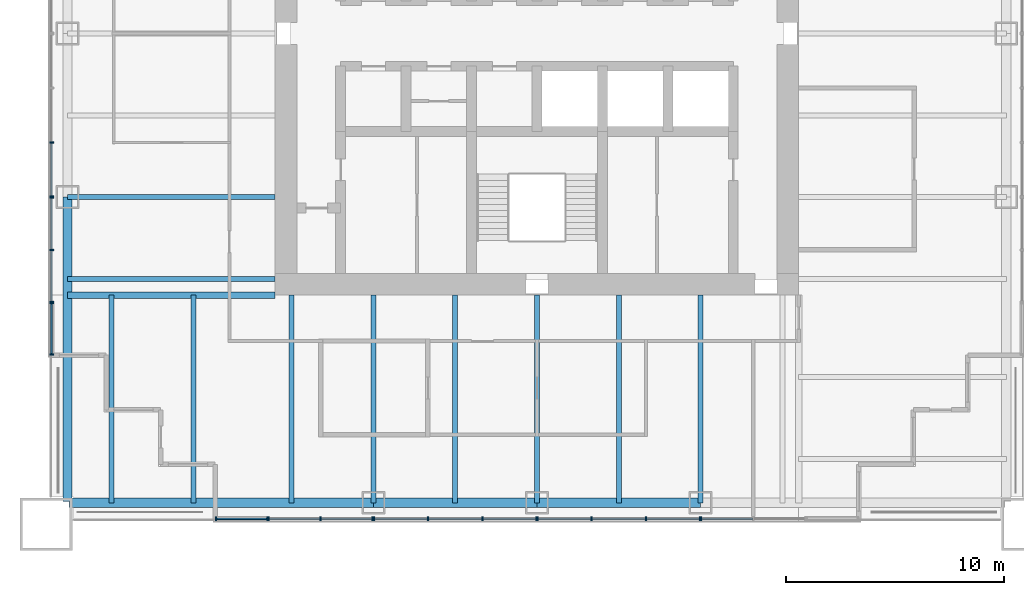
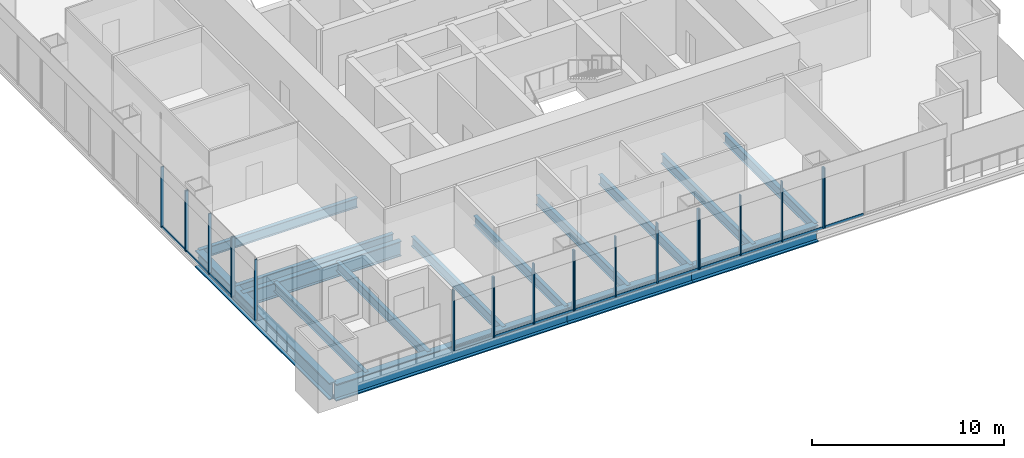
# One storey, part 2 of 13: 35 members, 15 beams, 8 elements without a shape of their own.
"""IFC4 building model written with IfcOpenShell, lengths in metres."""

from ifc_helpers import new_model, si_unit, direction, frame, origin, origin_2d, place, context, subcontext, project, spatial, rectangle, i_section, extrude, material, material_profile, profile_set, type_object, element, aggregate, save


model = new_model("IFC4")

# Units and contexts
model_context = context("Model", 3, precision=1e-05, world=origin(), true_north=direction((0.0, 1.0)))
body_context = subcontext(model_context, "Body", "Model", "MODEL_VIEW")
ifc_project = project(units=[si_unit("LENGTHUNIT", "METRE"), si_unit("AREAUNIT", "SQUARE_METRE"), si_unit("VOLUMEUNIT", "CUBIC_METRE"), si_unit("PLANEANGLEUNIT", "RADIAN"), si_unit("MASSUNIT", "GRAM", prefix="KILO")], contexts=[model_context])

# Site, building, storey
site_placement = place(None, origin())
site = spatial("IfcSite", under=ifc_project, at=site_placement, CompositionType="ELEMENT")
building_placement = place(site_placement, origin())
building = spatial("IfcBuilding", under=site, at=building_placement, Name="Tarangal Relay Tower", CompositionType="ELEMENT")
storey_placement = place(building_placement, frame((0.0, 0.0, 245.89990234375)))
storey = spatial("IfcBuildingStorey", under=building, at=storey_placement, Name="L53", CompositionType="ELEMENT", Elevation=245.89990234375)

# Beams
ifc_material_1 = material(Name="Steel ASTM A992", Category="steel")
ifc_material_profile_1 = material_profile(ifc_material_1, i_section(OverallWidth=0.227783203125, OverallDepth=0.60205078125, WebThickness=0.010498046875, FlangeThickness=0.014892578125, at=origin_2d()), Name="W24X68")
ifc_profile_set_1 = profile_set([ifc_material_profile_1], Name="Steel ASTM A992")
beam_type_1 = type_object("IfcBeamType", Name="Corner beam W24X68", PredefinedType="JOIST", material=ifc_profile_set_1)
for number, where, z_axis, x_axis, name in (
    (1, (-15.75, -12.0, -0.450927734375), (0.0, -1.0, 0.0), (1.0, 0.0, 0.0), "Corner beam CB11 S L53"),
    (2, (-19.5, -12.0, -0.450927734375), (0.0, -1.0, 0.0), (1.0, 0.0, 0.0), "Corner beam CB11 S L53"),
):
    element("IfcBeam", number, at=place(storey_placement, frame(where, z_axis=z_axis, x_axis=x_axis)), inside=storey, type_object=beam_type_1, Name=name, PredefinedType="JOIST", context=body_context, shape_type="SweptSolid", body=[
        extrude(i_section(OverallWidth=0.227783203125, OverallDepth=0.60205078125, WebThickness=0.010498046875, FlangeThickness=0.014892578125, at=origin_2d()), origin(), (0.0, 0.0, 1.0), 9.514892578125),
    ])
ifc_material_profile_2 = material_profile(ifc_material_1, i_section(OverallWidth=0.307373046875, OverallDepth=0.9423828125, WebThickness=0.022216796875, FlangeThickness=0.039794921875, at=origin_2d()), Name="W36X232")
ifc_profile_set_2 = profile_set([ifc_material_profile_2], Name="Steel ASTM A992")
beam_type_2 = type_object("IfcBeamType", Name="Corner girder W36X232", PredefinedType="BEAM", material=ifc_profile_set_2)
beam_placement = place(storey_placement, frame((-12.0, -12.0, -0.62109375), z_axis=(-1.0, 0.0, 0.0), x_axis=(0.0, -1.0, 0.0)))
element("IfcBeam", 3, at=beam_placement, inside=storey, type_object=beam_type_2, Name="Corner girder CG4 S L53", PredefinedType="BEAM", context=body_context, shape_type="SweptSolid", body=[
    extrude(i_section(OverallWidth=0.307373046875, OverallDepth=0.9423828125, WebThickness=0.022216796875, FlangeThickness=0.039794921875, at=origin_2d()), origin(), (0.0, 0.0, 1.0), 9.514892578125),
])
ifc_material_profile_3 = material_profile(ifc_material_1, i_section(OverallWidth=0.41650390625, OverallDepth=1.0693359375, WebThickness=0.0390625, FlangeThickness=0.070068359375, at=origin_2d()), Name="W40X503")
ifc_profile_set_3 = profile_set([ifc_material_profile_3], Name="Steel ASTM A992")
beam_type_3 = type_object("IfcBeamType", Name="Edge girder W40X503", PredefinedType="SPANDREL", material=ifc_profile_set_3)
for number, where, z_axis, x_axis, name in (
    (4, (7.5, -21.514892578125, -0.6845703125), (-1.0, 0.0, 0.0), (0.0, -1.0, 0.0), "Edge girder EG8 S L53"),
    (5, (0.0, -21.514892578125, -0.6845703125), (-1.0, 0.0, 0.0), (0.0, -1.0, 0.0), "Edge girder EG8 S L53"),
):
    element("IfcBeam", number, at=place(storey_placement, frame(where, z_axis=z_axis, x_axis=x_axis)), inside=storey, type_object=beam_type_3, Name=name, PredefinedType="SPANDREL", context=body_context, shape_type="SweptSolid", body=[
        extrude(i_section(OverallWidth=0.41650390625, OverallDepth=1.0693359375, WebThickness=0.0390625, FlangeThickness=0.070068359375, at=origin_2d()), origin(), (0.0, 0.0, 1.0), 7.5),
    ])
for number, where, z_axis, x_axis, name in (
    (6, (-7.5, -21.514892578125, -0.6845703125), (-1.0, 0.0, 0.0), (0.0, -1.0, 0.0), "Edge girder EG8 S L53"),
    (7, (-21.514892578125, -21.449951171875, -0.6845703125), (0.0, 1.0, 0.0), (-1.0, 0.0, 0.0), "Edge girder EG8 W L53"),
):
    element("IfcBeam", number, at=place(storey_placement, frame(where, z_axis=z_axis, x_axis=x_axis)), inside=storey, type_object=beam_type_3, Name=name, PredefinedType="SPANDREL", context=body_context, shape_type="SweptSolid", body=[
        extrude(i_section(OverallWidth=0.41650390625, OverallDepth=1.0693359375, WebThickness=0.0390625, FlangeThickness=0.070068359375, at=origin_2d()), origin(), (0.0, 0.0, 1.0), 13.949951171875),
    ])
ifc_material_profile_4 = material_profile(ifc_material_1, i_section(OverallWidth=0.22900390625, OverallDepth=0.612060546875, WebThickness=0.011962890625, FlangeThickness=0.01953125, at=origin_2d()), Name="W24X84")
ifc_profile_set_4 = profile_set([ifc_material_profile_4], Name="Steel ASTM A992")
beam_type_4 = type_object("IfcBeamType", Name="Floor beam W24X84", PredefinedType="BEAM", material=ifc_profile_set_4)
for number, where, z_axis, x_axis, name in (
    (8, (7.5, -12.0, -0.455810546875), (0.0, -1.0, 0.0), (1.0, 0.0, 0.0), "Floor beam RB12 S L53"),
    (9, (3.75, -12.0, -0.455810546875), (0.0, -1.0, 0.0), (1.0, 0.0, 0.0), "Floor beam RB12 S L53"),
    (10, (0.0, -12.0, -0.455810546875), (0.0, -1.0, 0.0), (1.0, 0.0, 0.0), "Floor beam RB12 S L53"),
    (11, (-3.75, -12.0, -0.455810546875), (0.0, -1.0, 0.0), (1.0, 0.0, 0.0), "Floor beam RB12 S L53"),
    (12, (-7.5, -12.0, -0.455810546875), (0.0, -1.0, 0.0), (1.0, 0.0, 0.0), "Floor beam RB12 S L53"),
    (13, (-11.25, -12.0, -0.455810546875), (0.0, -1.0, 0.0), (1.0, 0.0, 0.0), "Floor beam RB12 S L53"),
    (14, (-12.0, -11.25, -0.455810546875), (-1.0, 0.0, 0.0), (0.0, -1.0, 0.0), "Floor beam RB12 W L53"),
    (15, (-12.0, -7.5, -0.455810546875), (-1.0, 0.0, 0.0), (0.0, -1.0, 0.0), "Floor beam RB12 W L53"),
):
    element("IfcBeam", number, at=place(storey_placement, frame(where, z_axis=z_axis, x_axis=x_axis)), inside=storey, type_object=beam_type_4, Name=name, PredefinedType="BEAM", context=body_context, shape_type="SweptSolid", body=[
        extrude(i_section(OverallWidth=0.22900390625, OverallDepth=0.612060546875, WebThickness=0.011962890625, FlangeThickness=0.01953125, at=origin_2d()), origin(), (0.0, 0.0, 1.0), 9.514892578125),
    ])

# Curtain wall, member
ifc_material_2 = material(Name="Unitised curtain wall, dark glass and black aluminium", Category="aluminium")
curtain_wall_type_1 = type_object("IfcCurtainWallType", Name="Curtain wall CW-A", PredefinedType="USERDEFINED", material=ifc_material_2)
curtain_wall_1_placement = place(storey_placement, origin())
curtain_wall_1 = element("IfcCurtainWall", 16, at=curtain_wall_1_placement, inside=storey, type_object=curtain_wall_type_1, Name="Curtain wall CW-A S facade L53", ObjectType="UNITISED CURTAIN WALL", PredefinedType="USERDEFINED")
ifc_material_3 = material(Name="Black anodised aluminium mullion", Category="aluminium")
ifc_material_profile_5 = material_profile(ifc_material_3, rectangle(XDim=0.175048828125, YDim=0.06494140625, at=origin_2d()), Name="CW-AM 65X175")
ifc_profile_set_5 = profile_set([ifc_material_profile_5], Name="Black anodised aluminium mullion")
member_type_1 = type_object("IfcMemberType", Name="Mullion CW-A 65 x 175", PredefinedType="MULLION", material=ifc_profile_set_5)
member_1_placement = place(storey_placement, frame((7.532470703125, -22.25, 0.0), z_axis=(0.0, 0.0, 1.0), x_axis=(0.0, -1.0, 0.0)))
member_1 = element("IfcMember", 17, at=member_1_placement, type_object=member_type_1, Name="CW-A mullion 3", PredefinedType="MULLION", context=body_context, shape_type="SweptSolid", body=[
    extrude(rectangle(XDim=0.175048828125, YDim=0.06494140625, at=origin_2d()), origin(), (0.0, 0.0, 1.0), 3.85009765625),
])

# Curtain wall, members
curtain_wall_2_placement = place(storey_placement, origin())
curtain_wall_2 = element("IfcCurtainWall", 18, at=curtain_wall_2_placement, inside=storey, type_object=curtain_wall_type_1, Name="Curtain wall CW-A S facade L53", ObjectType="UNITISED CURTAIN WALL", PredefinedType="USERDEFINED")
member_2_placement = place(storey_placement, frame((7.467529296875, -22.25, 0.0), z_axis=(0.0, 0.0, 1.0), x_axis=(0.0, -1.0, 0.0)))
member_2 = element("IfcMember", 19, at=member_2_placement, type_object=member_type_1, Name="CW-A mullion 1", PredefinedType="MULLION", context=body_context, shape_type="SweptSolid", body=[
    extrude(rectangle(XDim=0.175048828125, YDim=0.06494140625, at=origin_2d()), origin(), (0.0, 0.0, 1.0), 3.85009765625),
])
member_3_placement = place(storey_placement, frame((5.0, -22.25, 0.0), z_axis=(0.0, 0.0, 1.0), x_axis=(0.0, -1.0, 0.0)))
member_3 = element("IfcMember", 20, at=member_3_placement, type_object=member_type_1, Name="CW-A mullion 2", PredefinedType="MULLION", context=body_context, shape_type="SweptSolid", body=[
    extrude(rectangle(XDim=0.175048828125, YDim=0.06494140625, at=origin_2d()), origin(), (0.0, 0.0, 1.0), 3.85009765625),
])
member_4_placement = place(storey_placement, frame((2.5, -22.25, 0.0), z_axis=(0.0, 0.0, 1.0), x_axis=(0.0, -1.0, 0.0)))
member_4 = element("IfcMember", 21, at=member_4_placement, type_object=member_type_1, Name="CW-A mullion 3", PredefinedType="MULLION", context=body_context, shape_type="SweptSolid", body=[
    extrude(rectangle(XDim=0.175048828125, YDim=0.06494140625, at=origin_2d()), origin(), (0.0, 0.0, 1.0), 3.85009765625),
])
member_5_placement = place(storey_placement, frame((0.032470703125, -22.25, 0.0), z_axis=(0.0, 0.0, 1.0), x_axis=(0.0, -1.0, 0.0)))
member_5 = element("IfcMember", 22, at=member_5_placement, type_object=member_type_1, Name="CW-A mullion 4", PredefinedType="MULLION", context=body_context, shape_type="SweptSolid", body=[
    extrude(rectangle(XDim=0.175048828125, YDim=0.06494140625, at=origin_2d()), origin(), (0.0, 0.0, 1.0), 3.85009765625),
])

curtain_wall_3_placement = place(storey_placement, origin())
curtain_wall_3 = element("IfcCurtainWall", 23, at=curtain_wall_3_placement, inside=storey, type_object=curtain_wall_type_1, Name="Curtain wall CW-A S facade L53", ObjectType="UNITISED CURTAIN WALL", PredefinedType="USERDEFINED")
member_6_placement = place(storey_placement, frame((-0.032470703125, -22.25, 0.0), z_axis=(0.0, 0.0, 1.0), x_axis=(0.0, -1.0, 0.0)))
member_6 = element("IfcMember", 24, at=member_6_placement, type_object=member_type_1, Name="CW-A mullion 1", PredefinedType="MULLION", context=body_context, shape_type="SweptSolid", body=[
    extrude(rectangle(XDim=0.175048828125, YDim=0.06494140625, at=origin_2d()), origin(), (0.0, 0.0, 1.0), 3.85009765625),
])
member_7_placement = place(storey_placement, frame((-2.5, -22.25, 0.0), z_axis=(0.0, 0.0, 1.0), x_axis=(0.0, -1.0, 0.0)))
member_7 = element("IfcMember", 25, at=member_7_placement, type_object=member_type_1, Name="CW-A mullion 2", PredefinedType="MULLION", context=body_context, shape_type="SweptSolid", body=[
    extrude(rectangle(XDim=0.175048828125, YDim=0.06494140625, at=origin_2d()), origin(), (0.0, 0.0, 1.0), 3.85009765625),
])
member_8_placement = place(storey_placement, frame((-5.0, -22.25, 0.0), z_axis=(0.0, 0.0, 1.0), x_axis=(0.0, -1.0, 0.0)))
member_8 = element("IfcMember", 26, at=member_8_placement, type_object=member_type_1, Name="CW-A mullion 3", PredefinedType="MULLION", context=body_context, shape_type="SweptSolid", body=[
    extrude(rectangle(XDim=0.175048828125, YDim=0.06494140625, at=origin_2d()), origin(), (0.0, 0.0, 1.0), 3.85009765625),
])
member_9_placement = place(storey_placement, frame((-7.467529296875, -22.25, 0.0), z_axis=(0.0, 0.0, 1.0), x_axis=(0.0, -1.0, 0.0)))
member_9 = element("IfcMember", 27, at=member_9_placement, type_object=member_type_1, Name="CW-A mullion 4", PredefinedType="MULLION", context=body_context, shape_type="SweptSolid", body=[
    extrude(rectangle(XDim=0.175048828125, YDim=0.06494140625, at=origin_2d()), origin(), (0.0, 0.0, 1.0), 3.85009765625),
])

curtain_wall_4_placement = place(storey_placement, origin())
curtain_wall_4 = element("IfcCurtainWall", 28, at=curtain_wall_4_placement, inside=storey, type_object=curtain_wall_type_1, Name="Curtain wall CW-A S facade L53", ObjectType="UNITISED CURTAIN WALL", PredefinedType="USERDEFINED")
member_10_placement = place(storey_placement, frame((-7.532470703125, -22.25, 0.0), z_axis=(0.0, 0.0, 1.0), x_axis=(0.0, -1.0, 0.0)))
member_10 = element("IfcMember", 29, at=member_10_placement, type_object=member_type_1, Name="CW-A mullion 1", PredefinedType="MULLION", context=body_context, shape_type="SweptSolid", body=[
    extrude(rectangle(XDim=0.175048828125, YDim=0.06494140625, at=origin_2d()), origin(), (0.0, 0.0, 1.0), 3.85009765625),
])
member_11_placement = place(storey_placement, frame((-9.916748046875, -22.25, 0.0), z_axis=(0.0, 0.0, 1.0), x_axis=(0.0, -1.0, 0.0)))
member_11 = element("IfcMember", 30, at=member_11_placement, type_object=member_type_1, Name="CW-A mullion 2", PredefinedType="MULLION", context=body_context, shape_type="SweptSolid", body=[
    extrude(rectangle(XDim=0.175048828125, YDim=0.06494140625, at=origin_2d()), origin(), (0.0, 0.0, 1.0), 3.85009765625),
])
member_12_placement = place(storey_placement, frame((-12.30078125, -22.25, 0.0), z_axis=(0.0, 0.0, 1.0), x_axis=(0.0, -1.0, 0.0)))
member_12 = element("IfcMember", 31, at=member_12_placement, type_object=member_type_1, Name="CW-A mullion 3", PredefinedType="MULLION", context=body_context, shape_type="SweptSolid", body=[
    extrude(rectangle(XDim=0.175048828125, YDim=0.06494140625, at=origin_2d()), origin(), (0.0, 0.0, 1.0), 3.85009765625),
])

curtain_wall_5_placement = place(storey_placement, origin())
curtain_wall_5 = element("IfcCurtainWall", 32, at=curtain_wall_5_placement, inside=storey, type_object=curtain_wall_type_1, Name="Curtain wall CW-A W facade L53", ObjectType="UNITISED CURTAIN WALL", PredefinedType="USERDEFINED")
member_13_placement = place(storey_placement, frame((-22.25, -12.30078125, 0.0), z_axis=(0.0, 0.0, 1.0), x_axis=(-1.0, 0.0, 0.0)))
member_13 = element("IfcMember", 33, at=member_13_placement, type_object=member_type_1, Name="CW-A mullion 1", PredefinedType="MULLION", context=body_context, shape_type="SweptSolid", body=[
    extrude(rectangle(XDim=0.175048828125, YDim=0.06494140625, at=origin_2d()), origin(), (0.0, 0.0, 1.0), 3.85009765625),
])
member_14_placement = place(storey_placement, frame((-22.25, -9.916748046875, 0.0), z_axis=(0.0, 0.0, 1.0), x_axis=(-1.0, 0.0, 0.0)))
member_14 = element("IfcMember", 34, at=member_14_placement, type_object=member_type_1, Name="CW-A mullion 2", PredefinedType="MULLION", context=body_context, shape_type="SweptSolid", body=[
    extrude(rectangle(XDim=0.175048828125, YDim=0.06494140625, at=origin_2d()), origin(), (0.0, 0.0, 1.0), 3.85009765625),
])
member_15_placement = place(storey_placement, frame((-22.25, -7.532470703125, 0.0), z_axis=(0.0, 0.0, 1.0), x_axis=(-1.0, 0.0, 0.0)))
member_15 = element("IfcMember", 35, at=member_15_placement, type_object=member_type_1, Name="CW-A mullion 3", PredefinedType="MULLION", context=body_context, shape_type="SweptSolid", body=[
    extrude(rectangle(XDim=0.175048828125, YDim=0.06494140625, at=origin_2d()), origin(), (0.0, 0.0, 1.0), 3.85009765625),
])

curtain_wall_6_placement = place(storey_placement, origin())
curtain_wall_6 = element("IfcCurtainWall", 36, at=curtain_wall_6_placement, inside=storey, type_object=curtain_wall_type_1, Name="Curtain wall CW-A W facade L53", ObjectType="UNITISED CURTAIN WALL", PredefinedType="USERDEFINED")
member_16_placement = place(storey_placement, frame((-22.25, -7.467529296875, 0.0), z_axis=(0.0, 0.0, 1.0), x_axis=(-1.0, 0.0, 0.0)))
member_16 = element("IfcMember", 37, at=member_16_placement, type_object=member_type_1, Name="CW-A mullion 1", PredefinedType="MULLION", context=body_context, shape_type="SweptSolid", body=[
    extrude(rectangle(XDim=0.175048828125, YDim=0.06494140625, at=origin_2d()), origin(), (0.0, 0.0, 1.0), 3.85009765625),
])
member_17_placement = place(storey_placement, frame((-22.25, -5.0, 0.0), z_axis=(0.0, 0.0, 1.0), x_axis=(-1.0, 0.0, 0.0)))
member_17 = element("IfcMember", 38, at=member_17_placement, type_object=member_type_1, Name="CW-A mullion 2", PredefinedType="MULLION", context=body_context, shape_type="SweptSolid", body=[
    extrude(rectangle(XDim=0.175048828125, YDim=0.06494140625, at=origin_2d()), origin(), (0.0, 0.0, 1.0), 3.85009765625),
])

ifc_material_4 = material(Name="Unitised curtain wall frame, black aluminium, with metal clad infill walls", Category="aluminium")
curtain_wall_type_2 = type_object("IfcCurtainWallType", Name="Curtain wall CW-AO", PredefinedType="USERDEFINED", material=ifc_material_4)
curtain_wall_7_placement = place(storey_placement, origin())
curtain_wall_7 = element("IfcCurtainWall", 39, at=curtain_wall_7_placement, inside=storey, type_object=curtain_wall_type_2, Name="Curtain wall CW-AO S facade L53", ObjectType="UNITISED CURTAIN WALL", PredefinedType="USERDEFINED")
ifc_material_profile_6 = material_profile(ifc_material_3, rectangle(XDim=0.175048828125, YDim=0.06494140625, at=origin_2d()), Name="CW-AOM 65X175")
ifc_profile_set_6 = profile_set([ifc_material_profile_6], Name="Black anodised aluminium mullion")
member_type_2 = type_object("IfcMemberType", Name="Mullion CW-AO 65 x 175", PredefinedType="MULLION", material=ifc_profile_set_6)
member_18_placement = place(storey_placement, frame((-12.36572265625, -22.25, 0.0), z_axis=(0.0, 0.0, 1.0), x_axis=(0.0, -1.0, 0.0)))
member_18 = element("IfcMember", 40, at=member_18_placement, type_object=member_type_2, Name="CW-AO mullion 1", PredefinedType="MULLION", context=body_context, shape_type="SweptSolid", body=[
    extrude(rectangle(XDim=0.175048828125, YDim=0.06494140625, at=origin_2d()), origin(), (0.0, 0.0, 1.0), 3.85009765625),
])
member_19_placement = place(storey_placement, frame((-14.717529296875, -22.25, 0.0), z_axis=(0.0, 0.0, 1.0), x_axis=(0.0, -1.0, 0.0)))
member_19 = element("IfcMember", 41, at=member_19_placement, type_object=member_type_2, Name="CW-AO mullion 2", PredefinedType="MULLION", context=body_context, shape_type="SweptSolid", body=[
    extrude(rectangle(XDim=0.175048828125, YDim=0.06494140625, at=origin_2d()), origin(), (0.0, 0.0, 1.0), 3.85009765625),
])

curtain_wall_8_placement = place(storey_placement, origin())
curtain_wall_8 = element("IfcCurtainWall", 42, at=curtain_wall_8_placement, inside=storey, type_object=curtain_wall_type_2, Name="Curtain wall CW-AO W facade L53", ObjectType="UNITISED CURTAIN WALL", PredefinedType="USERDEFINED")
member_20_placement = place(storey_placement, frame((-22.25, -14.717529296875, 0.0), z_axis=(0.0, 0.0, 1.0), x_axis=(-1.0, 0.0, 0.0)))
member_20 = element("IfcMember", 43, at=member_20_placement, type_object=member_type_2, Name="CW-AO mullion 1", PredefinedType="MULLION", context=body_context, shape_type="SweptSolid", body=[
    extrude(rectangle(XDim=0.175048828125, YDim=0.06494140625, at=origin_2d()), origin(), (0.0, 0.0, 1.0), 3.85009765625),
])
member_21_placement = place(storey_placement, frame((-22.25, -12.36572265625, 0.0), z_axis=(0.0, 0.0, 1.0), x_axis=(-1.0, 0.0, 0.0)))
member_21 = element("IfcMember", 44, at=member_21_placement, type_object=member_type_2, Name="CW-AO mullion 2", PredefinedType="MULLION", context=body_context, shape_type="SweptSolid", body=[
    extrude(rectangle(XDim=0.175048828125, YDim=0.06494140625, at=origin_2d()), origin(), (0.0, 0.0, 1.0), 3.85009765625),
])

# Member
ifc_material_5 = material(Name="Black anodised aluminium transom", Category="aluminium")
ifc_material_profile_7 = material_profile(ifc_material_5, rectangle(XDim=0.06494140625, YDim=0.14990234375, at=origin_2d()), Name="CW-AT 65X150")
ifc_profile_set_7 = profile_set([ifc_material_profile_7], Name="Black anodised aluminium transom")
member_type_3 = type_object("IfcMemberType", Name="Transom CW-A 65 x 150", PredefinedType="USERDEFINED", material=ifc_profile_set_7)
member_22_placement = place(storey_placement, frame((9.884033203125, -22.25, 0.03271484375), z_axis=(-1.0, 0.0, 0.0), x_axis=(0.0, -1.0, 0.0)))
member_22 = element("IfcMember", 45, at=member_22_placement, type_object=member_type_3, Name="CW-A transom 2.1", ObjectType="TRANSOM", PredefinedType="USERDEFINED", context=body_context, shape_type="SweptSolid", body=[
    extrude(rectangle(XDim=0.06494140625, YDim=0.14990234375, at=origin_2d()), origin(), (0.0, 0.0, 1.0), 2.319091796875),
])

aggregate(curtain_wall_1, [member_1, member_22])

member_23_placement = place(storey_placement, frame((7.43505859375, -22.25, 0.03271484375), z_axis=(-1.0, 0.0, 0.0), x_axis=(0.0, -1.0, 0.0)))
member_23 = element("IfcMember", 46, at=member_23_placement, type_object=member_type_3, Name="CW-A transom 1.1", ObjectType="TRANSOM", PredefinedType="USERDEFINED", context=body_context, shape_type="SweptSolid", body=[
    extrude(rectangle(XDim=0.06494140625, YDim=0.14990234375, at=origin_2d()), origin(), (0.0, 0.0, 1.0), 2.402587890625),
])

member_24_placement = place(storey_placement, frame((4.967529296875, -22.25, 0.03271484375), z_axis=(-1.0, 0.0, 0.0), x_axis=(0.0, -1.0, 0.0)))
member_24 = element("IfcMember", 47, at=member_24_placement, type_object=member_type_3, Name="CW-A transom 2.1", ObjectType="TRANSOM", PredefinedType="USERDEFINED", context=body_context, shape_type="SweptSolid", body=[
    extrude(rectangle(XDim=0.06494140625, YDim=0.14990234375, at=origin_2d()), origin(), (0.0, 0.0, 1.0), 2.43505859375),
])

member_25_placement = place(storey_placement, frame((2.467529296875, -22.25, 0.03271484375), z_axis=(-1.0, 0.0, 0.0), x_axis=(0.0, -1.0, 0.0)))
member_25 = element("IfcMember", 48, at=member_25_placement, type_object=member_type_3, Name="CW-A transom 3.1", ObjectType="TRANSOM", PredefinedType="USERDEFINED", context=body_context, shape_type="SweptSolid", body=[
    extrude(rectangle(XDim=0.06494140625, YDim=0.14990234375, at=origin_2d()), origin(), (0.0, 0.0, 1.0), 2.402587890625),
])

aggregate(curtain_wall_2, [member_2, member_3, member_4, member_5, member_23, member_24, member_25])

member_26_placement = place(storey_placement, frame((-0.06494140625, -22.25, 0.03271484375), z_axis=(-1.0, 0.0, 0.0), x_axis=(0.0, -1.0, 0.0)))
member_26 = element("IfcMember", 49, at=member_26_placement, type_object=member_type_3, Name="CW-A transom 1.1", ObjectType="TRANSOM", PredefinedType="USERDEFINED", context=body_context, shape_type="SweptSolid", body=[
    extrude(rectangle(XDim=0.06494140625, YDim=0.14990234375, at=origin_2d()), origin(), (0.0, 0.0, 1.0), 2.402587890625),
])

member_27_placement = place(storey_placement, frame((-2.532470703125, -22.25, 0.03271484375), z_axis=(-1.0, 0.0, 0.0), x_axis=(0.0, -1.0, 0.0)))
member_27 = element("IfcMember", 50, at=member_27_placement, type_object=member_type_3, Name="CW-A transom 2.1", ObjectType="TRANSOM", PredefinedType="USERDEFINED", context=body_context, shape_type="SweptSolid", body=[
    extrude(rectangle(XDim=0.06494140625, YDim=0.14990234375, at=origin_2d()), origin(), (0.0, 0.0, 1.0), 2.43505859375),
])

member_28_placement = place(storey_placement, frame((-5.032470703125, -22.25, 0.03271484375), z_axis=(-1.0, 0.0, 0.0), x_axis=(0.0, -1.0, 0.0)))
member_28 = element("IfcMember", 51, at=member_28_placement, type_object=member_type_3, Name="CW-A transom 3.1", ObjectType="TRANSOM", PredefinedType="USERDEFINED", context=body_context, shape_type="SweptSolid", body=[
    extrude(rectangle(XDim=0.06494140625, YDim=0.14990234375, at=origin_2d()), origin(), (0.0, 0.0, 1.0), 2.402587890625),
])

aggregate(curtain_wall_3, [member_6, member_7, member_8, member_9, member_26, member_27, member_28])

member_29_placement = place(storey_placement, frame((-7.56494140625, -22.25, 0.03271484375), z_axis=(-1.0, 0.0, 0.0), x_axis=(0.0, -1.0, 0.0)))
member_29 = element("IfcMember", 52, at=member_29_placement, type_object=member_type_3, Name="CW-A transom 1.1", ObjectType="TRANSOM", PredefinedType="USERDEFINED", context=body_context, shape_type="SweptSolid", body=[
    extrude(rectangle(XDim=0.06494140625, YDim=0.14990234375, at=origin_2d()), origin(), (0.0, 0.0, 1.0), 2.319091796875),
])

member_30_placement = place(storey_placement, frame((-9.94921875, -22.25, 0.03271484375), z_axis=(-1.0, 0.0, 0.0), x_axis=(0.0, -1.0, 0.0)))
member_30 = element("IfcMember", 53, at=member_30_placement, type_object=member_type_3, Name="CW-A transom 2.1", ObjectType="TRANSOM", PredefinedType="USERDEFINED", context=body_context, shape_type="SweptSolid", body=[
    extrude(rectangle(XDim=0.06494140625, YDim=0.14990234375, at=origin_2d()), origin(), (0.0, 0.0, 1.0), 2.319091796875),
])

aggregate(curtain_wall_4, [member_10, member_11, member_12, member_29, member_30])

member_31_placement = place(storey_placement, frame((-22.25, -12.268310546875, 0.03271484375), z_axis=(0.0, 1.0, 0.0), x_axis=(-1.0, 0.0, 0.0)))
member_31 = element("IfcMember", 54, at=member_31_placement, type_object=member_type_3, Name="CW-A transom 1.1", ObjectType="TRANSOM", PredefinedType="USERDEFINED", context=body_context, shape_type="SweptSolid", body=[
    extrude(rectangle(XDim=0.06494140625, YDim=0.14990234375, at=origin_2d()), origin(), (0.0, 0.0, 1.0), 2.319091796875),
])

member_32_placement = place(storey_placement, frame((-22.25, -9.884033203125, 0.03271484375), z_axis=(0.0, 1.0, 0.0), x_axis=(-1.0, 0.0, 0.0)))
member_32 = element("IfcMember", 55, at=member_32_placement, type_object=member_type_3, Name="CW-A transom 2.1", ObjectType="TRANSOM", PredefinedType="USERDEFINED", context=body_context, shape_type="SweptSolid", body=[
    extrude(rectangle(XDim=0.06494140625, YDim=0.14990234375, at=origin_2d()), origin(), (0.0, 0.0, 1.0), 2.319091796875),
])

aggregate(curtain_wall_5, [member_13, member_14, member_15, member_31, member_32])

member_33_placement = place(storey_placement, frame((-22.25, -7.43505859375, 0.03271484375), z_axis=(0.0, 1.0, 0.0), x_axis=(-1.0, 0.0, 0.0)))
member_33 = element("IfcMember", 56, at=member_33_placement, type_object=member_type_3, Name="CW-A transom 1.1", ObjectType="TRANSOM", PredefinedType="USERDEFINED", context=body_context, shape_type="SweptSolid", body=[
    extrude(rectangle(XDim=0.06494140625, YDim=0.14990234375, at=origin_2d()), origin(), (0.0, 0.0, 1.0), 2.402587890625),
])

aggregate(curtain_wall_6, [member_16, member_17, member_33])

ifc_material_profile_8 = material_profile(ifc_material_5, rectangle(XDim=0.06494140625, YDim=0.14990234375, at=origin_2d()), Name="CW-AOT 65X150")
ifc_profile_set_8 = profile_set([ifc_material_profile_8], Name="Black anodised aluminium transom")
member_type_4 = type_object("IfcMemberType", Name="Transom CW-AO 65 x 150", PredefinedType="USERDEFINED", material=ifc_profile_set_8)
member_34_placement = place(storey_placement, frame((-12.398193359375, -22.25, 0.03271484375), z_axis=(-1.0, 0.0, 0.0), x_axis=(0.0, -1.0, 0.0)))
member_34 = element("IfcMember", 57, at=member_34_placement, type_object=member_type_4, Name="CW-AO transom 1.1", ObjectType="TRANSOM", PredefinedType="USERDEFINED", context=body_context, shape_type="SweptSolid", body=[
    extrude(rectangle(XDim=0.06494140625, YDim=0.14990234375, at=origin_2d()), origin(), (0.0, 0.0, 1.0), 2.286865234375),
])

aggregate(curtain_wall_7, [member_18, member_19, member_34])

member_35_placement = place(storey_placement, frame((-22.25, -14.68505859375, 0.03271484375), z_axis=(0.0, 1.0, 0.0), x_axis=(-1.0, 0.0, 0.0)))
member_35 = element("IfcMember", 58, at=member_35_placement, type_object=member_type_4, Name="CW-AO transom 1.1", ObjectType="TRANSOM", PredefinedType="USERDEFINED", context=body_context, shape_type="SweptSolid", body=[
    extrude(rectangle(XDim=0.06494140625, YDim=0.14990234375, at=origin_2d()), origin(), (0.0, 0.0, 1.0), 2.286865234375),
])

aggregate(curtain_wall_8, [member_20, member_21, member_35])

save(model, "model.ifc")
